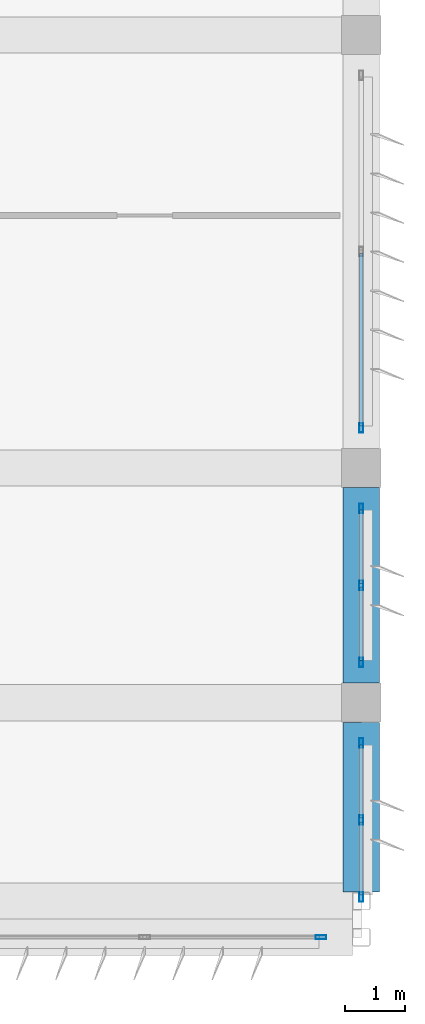
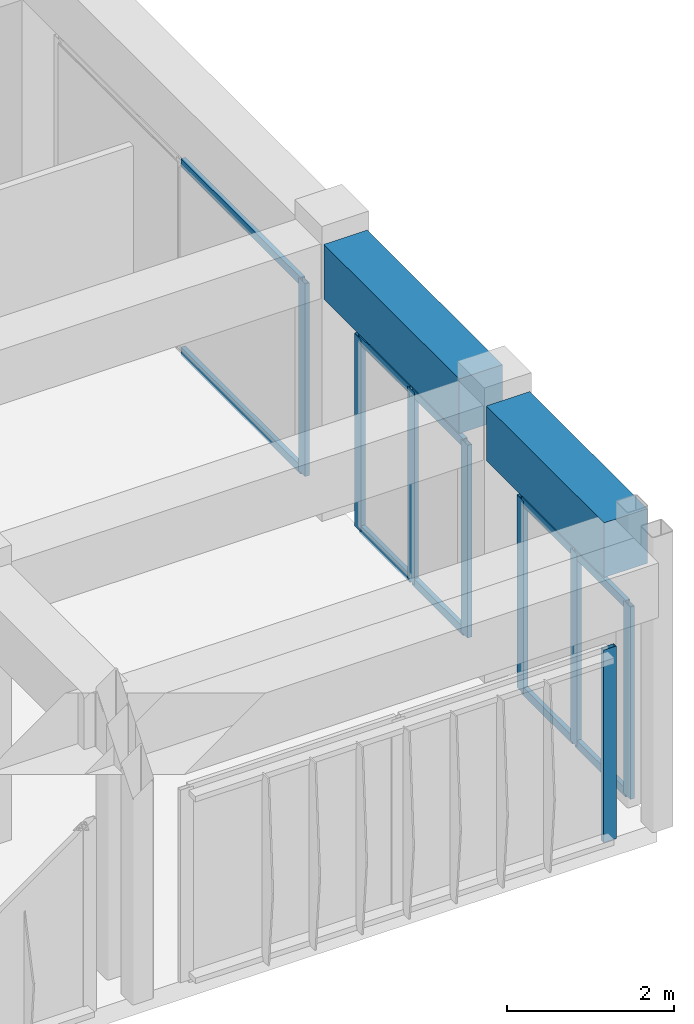
# One storey, part 28 of 53: 18 members, 2 beams, 4 elements without a shape of their own.
"""IFC4 building model written with IfcOpenShell, lengths in metres."""

from ifc_helpers import new_model, si_unit, direction, frame, origin, origin_2d, place, context, subcontext, project, spatial, rectangle, hollow_rectangle, extrude, material, material_profile, profile_set, type_object, element, aggregate, save


model = new_model("IFC4")

# Units and contexts
model_context = context("Model", 3, precision=1e-05, world=origin(), true_north=direction((0.0, 1.0)))
body_context = subcontext(model_context, "Body", "Model", "MODEL_VIEW")
ifc_project = project(units=[si_unit("LENGTHUNIT", "METRE"), si_unit("AREAUNIT", "SQUARE_METRE"), si_unit("VOLUMEUNIT", "CUBIC_METRE"), si_unit("PLANEANGLEUNIT", "RADIAN"), si_unit("MASSUNIT", "GRAM", prefix="KILO")], contexts=[model_context])

# Site, building, storey
site_placement = place(None, origin())
site = spatial("IfcSite", under=ifc_project, at=site_placement, CompositionType="ELEMENT")
building_placement = place(site_placement, origin())
building = spatial("IfcBuilding", under=site, at=building_placement, Name="Kazehaya Institute of Natural Sciences", CompositionType="ELEMENT")
storey_placement = place(building_placement, frame((0.0, 0.0, 33.300048828125)))
storey = spatial("IfcBuildingStorey", under=building, at=storey_placement, Name="L07", CompositionType="ELEMENT", Elevation=33.300048828125)

# Beams
ifc_material_1 = material(Name="Concrete Fc36", Category="concrete")
ifc_material_profile_1 = material_profile(ifc_material_1, rectangle(XDim=0.60009765625, YDim=0.800048828125, at=origin_2d()), Name="RC-600x800")
ifc_profile_set_1 = profile_set([ifc_material_profile_1], Name="Concrete Fc36")
beam_type = type_object("IfcBeamType", Name="BM-G-600x800", PredefinedType="BEAM", material=ifc_profile_set_1)
beam_1_placement = place(storey_placement, frame((119.39990234375, 6.949951171875, 3.64990234375), z_axis=(0.0, 1.0, 0.0), x_axis=(-1.0, 0.0, 0.0)))
element("IfcBeam", 1, at=beam_1_placement, inside=storey, type_object=beam_type, Name="L07 primary Y girder BMY-L07-1194-68", PredefinedType="BEAM", context=body_context, shape_type="SweptSolid", body=[
    extrude(rectangle(XDim=0.60009765625, YDim=0.800048828125, at=origin_2d()), origin(), (0.0, 0.0, 1.0), 2.824951171875),
])
beam_2_placement = place(storey_placement, frame((119.39990234375, 10.425048828125, 3.64990234375), z_axis=(0.0, 1.0, 0.0), x_axis=(-1.0, 0.0, 0.0)))
element("IfcBeam", 2, at=beam_2_placement, inside=storey, type_object=beam_type, Name="L07 primary Y girder BMY-L07-1194-101", PredefinedType="BEAM", context=body_context, shape_type="SweptSolid", body=[
    extrude(rectangle(XDim=0.60009765625, YDim=0.800048828125, at=origin_2d()), origin(), (0.0, 0.0, 1.0), 3.25),
])

# Curtain wall, members
ifc_material_2 = material(Name="Aluminium alloy A6063S-T5", Category="aluminium")
curtain_wall_type_1 = type_object("IfcCurtainWallType", Name="CW-SYS-09", PredefinedType="NOTDEFINED", material=ifc_material_2)
curtain_wall_1_placement = place(storey_placement, origin())
curtain_wall_1 = element("IfcCurtainWall", 3, at=curtain_wall_1_placement, inside=storey, type_object=curtain_wall_type_1, Name="L07 unitised curtain wall CW-L07-167", PredefinedType="NOTDEFINED")
ifc_material_profile_2 = material_profile(ifc_material_2, hollow_rectangle(XDim=0.06005859375, YDim=0.159912109375, WallThickness=0.00390625, at=origin_2d()), Name="ALU-60x160x4")
ifc_profile_set_2 = profile_set([ifc_material_profile_2], Name="Aluminium alloy A6063S-T5")
member_type_1 = type_object("IfcMemberType", Name="CWM-160", PredefinedType="MULLION", material=ifc_profile_set_2)
member_1_placement = place(storey_placement, frame((119.39990234375, 9.429931640625, 0.0), z_axis=(0.0, 0.0, 1.0), x_axis=(1.0, 0.0, 0.0)))
member_1 = element("IfcMember", 4, at=member_1_placement, type_object=member_type_1, Name="CW09 mullion 1", PredefinedType="MULLION", context=body_context, shape_type="SweptSolid", body=[
    extrude(hollow_rectangle(XDim=0.06005859375, YDim=0.159912109375, WallThickness=0.00390625, at=origin_2d()), origin(), (0.0, 0.0, 1.0), 2.820068359375),
])
member_2_placement = place(storey_placement, frame((119.39990234375, 8.14990234375, 0.0), z_axis=(0.0, 0.0, 1.0), x_axis=(1.0, 0.0, 0.0)))
member_2 = element("IfcMember", 5, at=member_2_placement, type_object=member_type_1, Name="CW09 mullion 2", PredefinedType="MULLION", context=body_context, shape_type="SweptSolid", body=[
    extrude(hollow_rectangle(XDim=0.06005859375, YDim=0.159912109375, WallThickness=0.00390625, at=origin_2d()), origin(), (0.0, 0.0, 1.0), 2.820068359375),
])
member_3_placement = place(storey_placement, frame((119.39990234375, 6.8701171875, 0.0), z_axis=(0.0, 0.0, 1.0), x_axis=(1.0, 0.0, 0.0)))
member_3 = element("IfcMember", 6, at=member_3_placement, type_object=member_type_1, Name="CW09 mullion 3", PredefinedType="MULLION", context=body_context, shape_type="SweptSolid", body=[
    extrude(hollow_rectangle(XDim=0.06005859375, YDim=0.159912109375, WallThickness=0.00390625, at=origin_2d()), origin(), (0.0, 0.0, 1.0), 2.820068359375),
])

curtain_wall_2_placement = place(storey_placement, origin())
curtain_wall_2 = element("IfcCurtainWall", 7, at=curtain_wall_2_placement, inside=storey, type_object=curtain_wall_type_1, Name="L07 unitised curtain wall CW-L07-169", PredefinedType="NOTDEFINED")
member_4_placement = place(storey_placement, frame((119.39990234375, 13.330078125, 0.0), z_axis=(0.0, 0.0, 1.0), x_axis=(1.0, 0.0, 0.0)))
member_4 = element("IfcMember", 8, at=member_4_placement, type_object=member_type_1, Name="CW09 mullion 1", PredefinedType="MULLION", context=body_context, shape_type="SweptSolid", body=[
    extrude(hollow_rectangle(XDim=0.06005859375, YDim=0.159912109375, WallThickness=0.00390625, at=origin_2d()), origin(), (0.0, 0.0, 1.0), 2.820068359375),
])
member_5_placement = place(storey_placement, frame((119.39990234375, 12.050048828125, 0.0), z_axis=(0.0, 0.0, 1.0), x_axis=(1.0, 0.0, 0.0)))
member_5 = element("IfcMember", 9, at=member_5_placement, type_object=member_type_1, Name="CW09 mullion 2", PredefinedType="MULLION", context=body_context, shape_type="SweptSolid", body=[
    extrude(hollow_rectangle(XDim=0.06005859375, YDim=0.159912109375, WallThickness=0.00390625, at=origin_2d()), origin(), (0.0, 0.0, 1.0), 2.820068359375),
])
member_6_placement = place(storey_placement, frame((119.39990234375, 10.77001953125, 0.0), z_axis=(0.0, 0.0, 1.0), x_axis=(1.0, 0.0, 0.0)))
member_6 = element("IfcMember", 10, at=member_6_placement, type_object=member_type_1, Name="CW09 mullion 3", PredefinedType="MULLION", context=body_context, shape_type="SweptSolid", body=[
    extrude(hollow_rectangle(XDim=0.06005859375, YDim=0.159912109375, WallThickness=0.00390625, at=origin_2d()), origin(), (0.0, 0.0, 1.0), 2.820068359375),
])

# Curtain wall, member
curtain_wall_type_2 = type_object("IfcCurtainWallType", Name="CW-SYS-10", PredefinedType="NOTDEFINED", material=ifc_material_2)
curtain_wall_3_placement = place(storey_placement, origin())
curtain_wall_3 = element("IfcCurtainWall", 11, at=curtain_wall_3_placement, inside=storey, type_object=curtain_wall_type_2, Name="L07 unitised curtain wall CW-L07-171", PredefinedType="NOTDEFINED")
member_7_placement = place(storey_placement, frame((119.39990234375, 14.669921875, 0.0), z_axis=(0.0, 0.0, 1.0), x_axis=(1.0, 0.0, 0.0)))
member_7 = element("IfcMember", 12, at=member_7_placement, type_object=member_type_1, Name="CW10 mullion 3", PredefinedType="MULLION", context=body_context, shape_type="SweptSolid", body=[
    extrude(hollow_rectangle(XDim=0.06005859375, YDim=0.159912109375, WallThickness=0.00390625, at=origin_2d()), origin(), (0.0, 0.0, 1.0), 2.820068359375),
])

curtain_wall_type_3 = type_object("IfcCurtainWallType", Name="CW-SYS-05", PredefinedType="NOTDEFINED", material=ifc_material_2)
curtain_wall_4_placement = place(storey_placement, origin())
curtain_wall_4 = element("IfcCurtainWall", 13, at=curtain_wall_4_placement, inside=storey, type_object=curtain_wall_type_3, Name="L07 unitised curtain wall CW-L07-148", PredefinedType="NOTDEFINED")
ifc_material_profile_3 = material_profile(ifc_material_2, hollow_rectangle(XDim=0.06005859375, YDim=0.179931640625, WallThickness=0.00390625, at=origin_2d()), Name="ALU-60x180x4")
ifc_profile_set_3 = profile_set([ifc_material_profile_3], Name="Aluminium alloy A6063S-T5")
member_type_2 = type_object("IfcMemberType", Name="CWM-180", PredefinedType="MULLION", material=ifc_profile_set_3)
member_8_placement = place(storey_placement, frame((118.72998046875, 6.199951171875, 0.0), z_axis=(0.0, 0.0, 1.0), x_axis=(0.0, -1.0, 0.0)))
member_8 = element("IfcMember", 14, at=member_8_placement, type_object=member_type_2, Name="CW05 mullion 1", PredefinedType="MULLION", context=body_context, shape_type="SweptSolid", body=[
    extrude(hollow_rectangle(XDim=0.06005859375, YDim=0.179931640625, WallThickness=0.00390625, at=origin_2d()), origin(), (0.0, 0.0, 1.0), 2.820068359375),
])
aggregate(curtain_wall_4, [member_8])

# Member
ifc_material_profile_4 = material_profile(ifc_material_2, hollow_rectangle(XDim=0.06005859375, YDim=0.1201171875, WallThickness=0.00341796875, at=origin_2d()), Name="ALU-60x120x3.5")
ifc_profile_set_4 = profile_set([ifc_material_profile_4], Name="Aluminium alloy A6063S-T5")
member_type_3 = type_object("IfcMemberType", Name="CWT-120", PredefinedType="USERDEFINED", material=ifc_profile_set_4)
member_9_placement = place(storey_placement, frame((119.39990234375, 9.39990234375, 0.030029296875), z_axis=(0.0, -1.0, 0.0), x_axis=(1.0, 0.0, 0.0)))
member_9 = element("IfcMember", 15, at=member_9_placement, type_object=member_type_3, Name="CW09 transom 1.1", ObjectType="TRANSOM", PredefinedType="USERDEFINED", context=body_context, shape_type="SweptSolid", body=[
    extrude(hollow_rectangle(XDim=0.06005859375, YDim=0.1201171875, WallThickness=0.00341796875, at=origin_2d()), origin(), (0.0, 0.0, 1.0), 1.219970703125),
])

member_10_placement = place(storey_placement, frame((119.39990234375, 9.39990234375, 2.7900390625), z_axis=(0.0, -1.0, 0.0), x_axis=(1.0, 0.0, 0.0)))
member_10 = element("IfcMember", 16, at=member_10_placement, type_object=member_type_3, Name="CW09 transom 1.2", ObjectType="TRANSOM", PredefinedType="USERDEFINED", context=body_context, shape_type="SweptSolid", body=[
    extrude(hollow_rectangle(XDim=0.06005859375, YDim=0.1201171875, WallThickness=0.00341796875, at=origin_2d()), origin(), (0.0, 0.0, 1.0), 1.219970703125),
])

member_11_placement = place(storey_placement, frame((119.39990234375, 8.1201171875, 0.030029296875), z_axis=(0.0, -1.0, 0.0), x_axis=(1.0, 0.0, 0.0)))
member_11 = element("IfcMember", 17, at=member_11_placement, type_object=member_type_3, Name="CW09 transom 2.1", ObjectType="TRANSOM", PredefinedType="USERDEFINED", context=body_context, shape_type="SweptSolid", body=[
    extrude(hollow_rectangle(XDim=0.06005859375, YDim=0.1201171875, WallThickness=0.00341796875, at=origin_2d()), origin(), (0.0, 0.0, 1.0), 1.22021484375),
])

member_12_placement = place(storey_placement, frame((119.39990234375, 8.1201171875, 2.7900390625), z_axis=(0.0, -1.0, 0.0), x_axis=(1.0, 0.0, 0.0)))
member_12 = element("IfcMember", 18, at=member_12_placement, type_object=member_type_3, Name="CW09 transom 2.2", ObjectType="TRANSOM", PredefinedType="USERDEFINED", context=body_context, shape_type="SweptSolid", body=[
    extrude(hollow_rectangle(XDim=0.06005859375, YDim=0.1201171875, WallThickness=0.00341796875, at=origin_2d()), origin(), (0.0, 0.0, 1.0), 1.22021484375),
])

aggregate(curtain_wall_1, [member_1, member_2, member_3, member_9, member_10, member_11, member_12])

member_13_placement = place(storey_placement, frame((119.39990234375, 13.300048828125, 0.030029296875), z_axis=(0.0, -1.0, 0.0), x_axis=(1.0, 0.0, 0.0)))
member_13 = element("IfcMember", 19, at=member_13_placement, type_object=member_type_3, Name="CW09 transom 1.1", ObjectType="TRANSOM", PredefinedType="USERDEFINED", context=body_context, shape_type="SweptSolid", body=[
    extrude(hollow_rectangle(XDim=0.06005859375, YDim=0.1201171875, WallThickness=0.00341796875, at=origin_2d()), origin(), (0.0, 0.0, 1.0), 1.219970703125),
])

member_14_placement = place(storey_placement, frame((119.39990234375, 13.300048828125, 2.7900390625), z_axis=(0.0, -1.0, 0.0), x_axis=(1.0, 0.0, 0.0)))
member_14 = element("IfcMember", 20, at=member_14_placement, type_object=member_type_3, Name="CW09 transom 1.2", ObjectType="TRANSOM", PredefinedType="USERDEFINED", context=body_context, shape_type="SweptSolid", body=[
    extrude(hollow_rectangle(XDim=0.06005859375, YDim=0.1201171875, WallThickness=0.00341796875, at=origin_2d()), origin(), (0.0, 0.0, 1.0), 1.219970703125),
])

member_15_placement = place(storey_placement, frame((119.39990234375, 12.02001953125, 0.030029296875), z_axis=(0.0, -1.0, 0.0), x_axis=(1.0, 0.0, 0.0)))
member_15 = element("IfcMember", 21, at=member_15_placement, type_object=member_type_3, Name="CW09 transom 2.1", ObjectType="TRANSOM", PredefinedType="USERDEFINED", context=body_context, shape_type="SweptSolid", body=[
    extrude(hollow_rectangle(XDim=0.06005859375, YDim=0.1201171875, WallThickness=0.00341796875, at=origin_2d()), origin(), (0.0, 0.0, 1.0), 1.219970703125),
])

member_16_placement = place(storey_placement, frame((119.39990234375, 12.02001953125, 2.7900390625), z_axis=(0.0, -1.0, 0.0), x_axis=(1.0, 0.0, 0.0)))
member_16 = element("IfcMember", 22, at=member_16_placement, type_object=member_type_3, Name="CW09 transom 2.2", ObjectType="TRANSOM", PredefinedType="USERDEFINED", context=body_context, shape_type="SweptSolid", body=[
    extrude(hollow_rectangle(XDim=0.06005859375, YDim=0.1201171875, WallThickness=0.00341796875, at=origin_2d()), origin(), (0.0, 0.0, 1.0), 1.219970703125),
])

aggregate(curtain_wall_2, [member_4, member_5, member_6, member_13, member_14, member_15, member_16])

member_17_placement = place(storey_placement, frame((119.39990234375, 17.570068359375, 0.030029296875), z_axis=(0.0, -1.0, 0.0), x_axis=(1.0, 0.0, 0.0)))
member_17 = element("IfcMember", 23, at=member_17_placement, type_object=member_type_3, Name="CW10 transom 2.1", ObjectType="TRANSOM", PredefinedType="USERDEFINED", context=body_context, shape_type="SweptSolid", body=[
    extrude(hollow_rectangle(XDim=0.06005859375, YDim=0.1201171875, WallThickness=0.00341796875, at=origin_2d()), origin(), (0.0, 0.0, 1.0), 2.8701171875),
])

member_18_placement = place(storey_placement, frame((119.39990234375, 17.570068359375, 2.7900390625), z_axis=(0.0, -1.0, 0.0), x_axis=(1.0, 0.0, 0.0)))
member_18 = element("IfcMember", 24, at=member_18_placement, type_object=member_type_3, Name="CW10 transom 2.2", ObjectType="TRANSOM", PredefinedType="USERDEFINED", context=body_context, shape_type="SweptSolid", body=[
    extrude(hollow_rectangle(XDim=0.06005859375, YDim=0.1201171875, WallThickness=0.00341796875, at=origin_2d()), origin(), (0.0, 0.0, 1.0), 2.8701171875),
])

aggregate(curtain_wall_3, [member_7, member_17, member_18])

save(model, "model.ifc")
